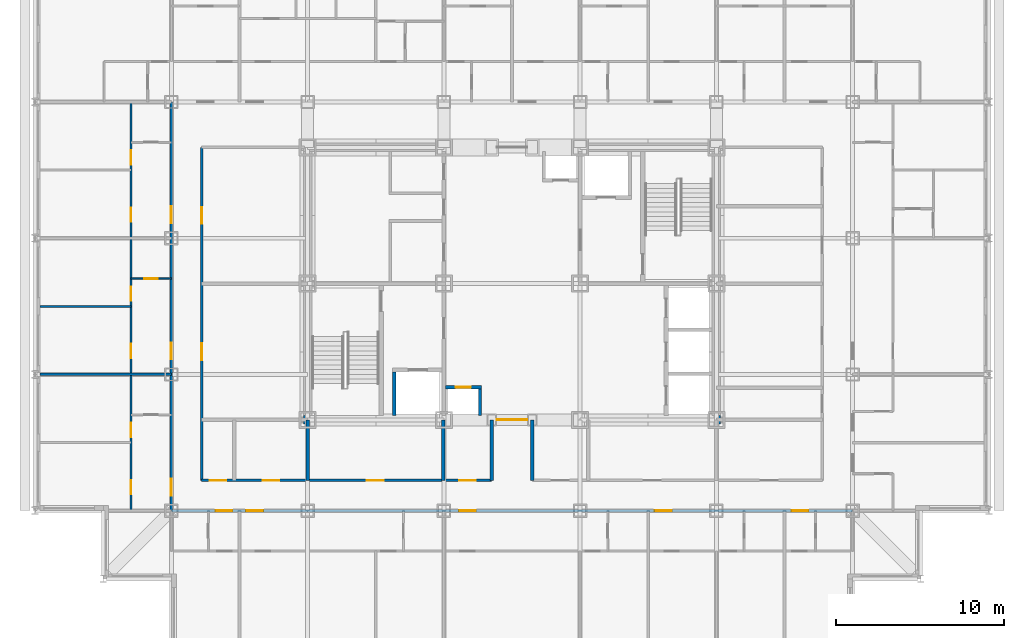
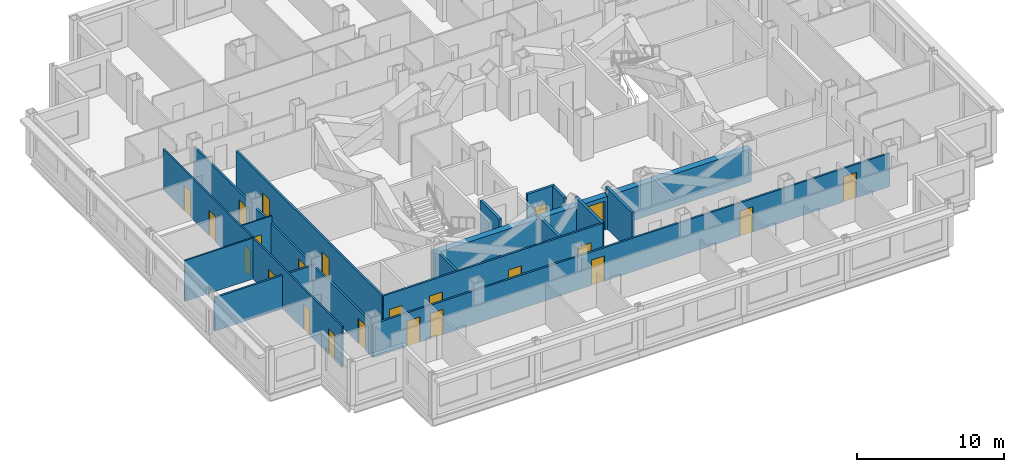
# One storey, part 5 of 12: 23 doors, 16 walls, 23 openings.
"""IFC4 building model written with IfcOpenShell, lengths in metres."""

from ifc_helpers import new_model, si_unit, direction, frame, frame_2d, origin, place, context, subcontext, project, spatial, rectangle, extrude, material, layer, layer_set, type_object, element, fill, save


model = new_model("IFC4")

# Units and contexts
model_context = context("Model", 3, precision=1e-05, world=origin(), true_north=direction((0.0, 1.0)))
body_context = subcontext(model_context, "Body", "Model", "MODEL_VIEW")
ifc_project = project(units=[si_unit("LENGTHUNIT", "METRE"), si_unit("AREAUNIT", "SQUARE_METRE"), si_unit("VOLUMEUNIT", "CUBIC_METRE"), si_unit("PLANEANGLEUNIT", "RADIAN"), si_unit("MASSUNIT", "GRAM", prefix="KILO")], contexts=[model_context])

# Site, building, storey
site_placement = place(None, origin())
site = spatial("IfcSite", under=ifc_project, at=site_placement, CompositionType="ELEMENT")
building_placement = place(site_placement, origin())
building = spatial("IfcBuilding", under=site, at=building_placement, Name="Kopane Lantern Tower", CompositionType="ELEMENT")
storey_placement = place(building_placement, frame((0.0, 0.0, 192.0)))
storey = spatial("IfcBuildingStorey", under=building, at=storey_placement, Name="L49", CompositionType="ELEMENT", Elevation=192.0)

# Wall, openings, doors
ifc_material_1 = material(Name="Gypsum board on steel studs", Category="steel")
ifc_layer_1 = layer(ifc_material_1, 0.1201171875)
ifc_layer_set_1 = layer_set([ifc_layer_1], Name="APARTMENT INTERNAL WALL 120")
wall_type_1 = type_object("IfcWallType", Name="APARTMENT INTERNAL WALL 120", PredefinedType="PARTITIONING", material=ifc_layer_set_1)
wall_1_placement = place(storey_placement, frame((5.699951171875, 18.89990234375, 0.0), z_axis=(0.0, 0.0, 1.0), x_axis=(0.0, 1.0, 0.0)))
wall_1 = element("IfcWall", 1, at=wall_1_placement, inside=storey, type_object=wall_type_1, Name="Apartment Internal Wall 120 L49", PredefinedType="PARTITIONING", context=body_context, shape_type="SweptSolid", body=[
    extrude(rectangle(XDim=24.300048828125, YDim=0.1201171875, at=frame_2d((12.14990234375, 0.0))), origin(), (0.0, 0.0, 1.0), 3.389892578125),
])
opening_1_placement = place(wall_1_placement, frame((0.97509765625, 0.0, 0.0)))
opening_1 = element("IfcOpeningElement", 2, at=opening_1_placement, cuts=wall_1, Name="Opening L49-042", PredefinedType="OPENING", context=body_context, shape_type="SweptSolid", body=[
    extrude(rectangle(XDim=0.85009765625, YDim=2.10009765625, at=frame_2d((0.425048828125, 1.050048828125))), frame((0.0, 0.070068359375, 0.0), z_axis=(0.0, -1.0, 0.0), x_axis=(1.0, 0.0, 0.0)), (0.0, 0.0, 1.0), 0.14013671875),
])
opening_2_placement = place(wall_1_placement, frame((4.375, 0.0, 0.0)))
opening_2 = element("IfcOpeningElement", 3, at=opening_2_placement, cuts=wall_1, Name="Opening L49-043", PredefinedType="OPENING", context=body_context, shape_type="SweptSolid", body=[
    extrude(rectangle(XDim=0.85009765625, YDim=2.10009765625, at=frame_2d((0.425048828125, 1.050048828125))), frame((0.0, 0.070068359375, 0.0), z_axis=(0.0, -1.0, 0.0), x_axis=(1.0, 0.0, 0.0)), (0.0, 0.0, 1.0), 0.14013671875),
])
opening_3_placement = place(wall_1_placement, frame((9.074951171875, 0.0, 0.0)))
opening_3 = element("IfcOpeningElement", 4, at=opening_3_placement, cuts=wall_1, Name="Opening L49-046", PredefinedType="OPENING", context=body_context, shape_type="SweptSolid", body=[
    extrude(rectangle(XDim=0.85009765625, YDim=2.10009765625, at=frame_2d((0.425048828125, 1.050048828125))), frame((0.0, 0.070068359375, 0.0), z_axis=(0.0, -1.0, 0.0), x_axis=(1.0, 0.0, 0.0)), (0.0, 0.0, 1.0), 0.14013671875),
])
opening_4_placement = place(wall_1_placement, frame((12.47509765625, 0.0, 0.0)))
opening_4 = element("IfcOpeningElement", 5, at=opening_4_placement, cuts=wall_1, Name="Opening L49-047", PredefinedType="OPENING", context=body_context, shape_type="SweptSolid", body=[
    extrude(rectangle(XDim=0.85009765625, YDim=2.10009765625, at=frame_2d((0.425048828125, 1.050048828125))), frame((0.0, 0.070068359375, 0.0), z_axis=(0.0, -1.0, 0.0), x_axis=(1.0, 0.0, 0.0)), (0.0, 0.0, 1.0), 0.14013671875),
])
opening_5_placement = place(wall_1_placement, frame((17.175048828125, 0.0, 0.0)))
opening_5 = element("IfcOpeningElement", 6, at=opening_5_placement, cuts=wall_1, Name="Opening L49-050", PredefinedType="OPENING", context=body_context, shape_type="SweptSolid", body=[
    extrude(rectangle(XDim=0.85009765625, YDim=2.10009765625, at=frame_2d((0.425048828125, 1.050048828125))), frame((0.0, 0.070068359375, 0.0), z_axis=(0.0, -1.0, 0.0), x_axis=(1.0, 0.0, 0.0)), (0.0, 0.0, 1.0), 0.14013671875),
])
opening_6_placement = place(wall_1_placement, frame((20.574951171875, 0.0, 0.0)))
opening_6 = element("IfcOpeningElement", 7, at=opening_6_placement, cuts=wall_1, Name="Opening L49-051", PredefinedType="OPENING", context=body_context, shape_type="SweptSolid", body=[
    extrude(rectangle(XDim=0.85009765625, YDim=2.10009765625, at=frame_2d((0.425048828125, 1.050048828125))), frame((0.0, 0.070068359375, 0.0), z_axis=(0.0, -1.0, 0.0), x_axis=(1.0, 0.0, 0.0)), (0.0, 0.0, 1.0), 0.14013671875),
])
ifc_material_2 = material(Name="Timber door set", Category="wood")
door_type_1 = type_object("IfcDoorType", Name="DOOR D4 850x2100", OperationType="SINGLE_SWING_LEFT", PredefinedType="DOOR", material=ifc_material_2)
door_1_placement = place(opening_1_placement, origin())
door_1 = element("IfcDoor", 8, at=door_1_placement, inside=storey, type_object=door_type_1, Name="Door L49-042", OperationType="SINGLE_SWING_RIGHT", OverallHeight=2.10009765625, OverallWidth=0.85009765625, PredefinedType="DOOR", context=body_context, shape_type="SweptSolid", body=[
    extrude(rectangle(XDim=0.85009765625, YDim=2.10009765625, at=frame_2d((0.425048828125, 1.050048828125))), frame((0.0, 0.02490234375, 0.0), z_axis=(0.0, -1.0, 0.0), x_axis=(1.0, 0.0, 0.0)), (0.0, 0.0, 1.0), 0.050048828125),
])
fill(opening_1, door_1)
door_2_placement = place(opening_2_placement, origin())
door_2 = element("IfcDoor", 9, at=door_2_placement, inside=storey, type_object=door_type_1, Name="Door L49-043", OperationType="SINGLE_SWING_LEFT", OverallHeight=2.10009765625, OverallWidth=0.85009765625, PredefinedType="DOOR", context=body_context, shape_type="SweptSolid", body=[
    extrude(rectangle(XDim=0.85009765625, YDim=2.10009765625, at=frame_2d((0.425048828125, 1.050048828125))), frame((0.0, 0.02490234375, 0.0), z_axis=(0.0, -1.0, 0.0), x_axis=(1.0, 0.0, 0.0)), (0.0, 0.0, 1.0), 0.050048828125),
])
fill(opening_2, door_2)
door_3_placement = place(opening_3_placement, origin())
door_3 = element("IfcDoor", 10, at=door_3_placement, inside=storey, type_object=door_type_1, Name="Door L49-046", OperationType="SINGLE_SWING_RIGHT", OverallHeight=2.10009765625, OverallWidth=0.85009765625, PredefinedType="DOOR", context=body_context, shape_type="SweptSolid", body=[
    extrude(rectangle(XDim=0.85009765625, YDim=2.10009765625, at=frame_2d((0.425048828125, 1.050048828125))), frame((0.0, 0.02490234375, 0.0), z_axis=(0.0, -1.0, 0.0), x_axis=(1.0, 0.0, 0.0)), (0.0, 0.0, 1.0), 0.050048828125),
])
fill(opening_3, door_3)
door_4_placement = place(opening_4_placement, origin())
door_4 = element("IfcDoor", 11, at=door_4_placement, inside=storey, type_object=door_type_1, Name="Door L49-047", OperationType="SINGLE_SWING_LEFT", OverallHeight=2.10009765625, OverallWidth=0.85009765625, PredefinedType="DOOR", context=body_context, shape_type="SweptSolid", body=[
    extrude(rectangle(XDim=0.85009765625, YDim=2.10009765625, at=frame_2d((0.425048828125, 1.050048828125))), frame((0.0, 0.02490234375, 0.0), z_axis=(0.0, -1.0, 0.0), x_axis=(1.0, 0.0, 0.0)), (0.0, 0.0, 1.0), 0.050048828125),
])
fill(opening_4, door_4)
door_5_placement = place(opening_5_placement, origin())
door_5 = element("IfcDoor", 12, at=door_5_placement, inside=storey, type_object=door_type_1, Name="Door L49-050", OperationType="SINGLE_SWING_RIGHT", OverallHeight=2.10009765625, OverallWidth=0.85009765625, PredefinedType="DOOR", context=body_context, shape_type="SweptSolid", body=[
    extrude(rectangle(XDim=0.85009765625, YDim=2.10009765625, at=frame_2d((0.425048828125, 1.050048828125))), frame((0.0, 0.02490234375, 0.0), z_axis=(0.0, -1.0, 0.0), x_axis=(1.0, 0.0, 0.0)), (0.0, 0.0, 1.0), 0.050048828125),
])
fill(opening_5, door_5)
door_6_placement = place(opening_6_placement, origin())
door_6 = element("IfcDoor", 13, at=door_6_placement, inside=storey, type_object=door_type_1, Name="Door L49-051", OperationType="SINGLE_SWING_LEFT", OverallHeight=2.10009765625, OverallWidth=0.85009765625, PredefinedType="DOOR", context=body_context, shape_type="SweptSolid", body=[
    extrude(rectangle(XDim=0.85009765625, YDim=2.10009765625, at=frame_2d((0.425048828125, 1.050048828125))), frame((0.0, 0.02490234375, 0.0), z_axis=(0.0, -1.0, 0.0), x_axis=(1.0, 0.0, 0.0)), (0.0, 0.0, 1.0), 0.050048828125),
])
fill(opening_6, door_6)

# Wall
wall_2_placement = place(storey_placement, frame((5.699951171875, 31.050048828125, 0.0), z_axis=(0.0, 0.0, 1.0), x_axis=(-1.0, 0.0, 0.0)))
element("IfcWall", 14, at=wall_2_placement, inside=storey, type_object=wall_type_1, Name="Apartment Internal Wall 120 L49", PredefinedType="PARTITIONING", context=body_context, shape_type="SweptSolid", body=[
    extrude(rectangle(XDim=5.39990234375, YDim=0.1201171875, at=frame_2d((2.699951171875, 0.0))), origin(), (0.0, 0.0, 1.0), 3.389892578125),
])

# Wall, opening, door
ifc_material_3 = material(Name="Moisture-resistant board on steel studs", Category="steel")
ifc_layer_2 = layer(ifc_material_3, 0.10009765625)
ifc_layer_set_2 = layer_set([ifc_layer_2], Name="BATHROOM WALL 100")
wall_type_2 = type_object("IfcWallType", Name="BATHROOM WALL 100", PredefinedType="PARTITIONING", material=ifc_layer_set_2)
wall_3_placement = place(storey_placement, frame((8.10009765625, 32.699951171875, 0.0), z_axis=(0.0, 0.0, 1.0), x_axis=(-1.0, 0.0, 0.0)))
wall_3 = element("IfcWall", 15, at=wall_3_placement, inside=storey, type_object=wall_type_2, Name="Bathroom Wall 100 L49", PredefinedType="PARTITIONING", context=body_context, shape_type="SweptSolid", body=[
    extrude(rectangle(XDim=2.400146484375, YDim=0.10009765625, at=frame_2d((1.2001953125, 0.0))), origin(), (0.0, 0.0, 1.0), 3.389892578125),
])
opening_7_placement = place(wall_3_placement, frame((0.800048828125, 0.0, 0.0)))
opening_7 = element("IfcOpeningElement", 16, at=opening_7_placement, cuts=wall_3, Name="Opening L49-044", PredefinedType="OPENING", context=body_context, shape_type="SweptSolid", body=[
    extrude(rectangle(XDim=0.800048828125, YDim=2.10009765625, at=frame_2d((0.39990234375, 1.050048828125))), frame((0.0, 0.06005859375, 0.0), z_axis=(0.0, -1.0, 0.0), x_axis=(1.0, 0.0, 0.0)), (0.0, 0.0, 1.0), 0.1201171875),
])
ifc_material_4 = material(Name="Timber door set", Category="wood")
door_type_2 = type_object("IfcDoorType", Name="DOOR D2 800x2100", OperationType="SINGLE_SWING_LEFT", PredefinedType="DOOR", material=ifc_material_4)
door_7_placement = place(opening_7_placement, origin())
door_7 = element("IfcDoor", 17, at=door_7_placement, inside=storey, type_object=door_type_2, Name="Door L49-044", OperationType="SINGLE_SWING_RIGHT", OverallHeight=2.10009765625, OverallWidth=0.800048828125, PredefinedType="DOOR", context=body_context, shape_type="SweptSolid", body=[
    extrude(rectangle(XDim=0.800048828125, YDim=2.10009765625, at=frame_2d((0.39990234375, 1.050048828125))), frame((0.0, 0.02490234375, 0.0), z_axis=(0.0, -1.0, 0.0), x_axis=(1.0, 0.0, 0.0)), (0.0, 0.0, 1.0), 0.050048828125),
])
fill(opening_7, door_7)

ifc_material_5 = material(Name="Gypsum shaft wall EI 120", Category="gypsum")
ifc_layer_3 = layer(ifc_material_5, 0.5)
ifc_layer_set_3 = layer_set([ifc_layer_3], Name="CORE PERIMETER WALL 500 EI 120")
wall_type_3 = type_object("IfcWallType", Name="CORE PERIMETER WALL 500 EI 120", PredefinedType="SOLIDWALL", material=ifc_layer_set_3)
wall_4_placement = place(storey_placement, frame((15.949951171875, 24.300048828125, 0.0), z_axis=(0.0, 0.0, 1.0), x_axis=(1.0, 0.0, 0.0)))
wall_4 = element("IfcWall", 18, at=wall_4_placement, inside=storey, type_object=wall_type_3, Name="Core shaft wall L49 PS", PredefinedType="SOLIDWALL", context=body_context, shape_type="SweptSolid", body=[
    extrude(rectangle(XDim=24.800048828125, YDim=0.5, at=frame_2d((12.39990234375, 0.0))), origin(), (0.0, 0.0, 1.0), 2.739990234375),
])
opening_8_placement = place(wall_4_placement, frame((11.5, 0.0, 0.0)))
opening_8 = element("IfcOpeningElement", 19, at=opening_8_placement, cuts=wall_4, Name="Opening 49.CE-S", PredefinedType="OPENING", context=body_context, shape_type="SweptSolid", body=[
    extrude(rectangle(XDim=1.800048828125, YDim=2.39990234375, at=frame_2d((0.89990234375, 1.199951171875))), frame((0.0, 0.260009765625, 0.0), z_axis=(0.0, -1.0, 0.0), x_axis=(1.0, 0.0, 0.0)), (0.0, 0.0, 1.0), 0.52001953125),
])
ifc_material_6 = material(Name="Steel door set", Category="steel")
door_type_3 = type_object("IfcDoorType", Name="CORE ENTRY DOOR 1800x2400 FD60S", OperationType="DOUBLE_DOOR_SINGLE_SWING", PredefinedType="DOOR", material=ifc_material_6)
door_8_placement = place(opening_8_placement, origin())
door_8 = element("IfcDoor", 20, at=door_8_placement, inside=storey, type_object=door_type_3, Name="Core entry door L49 south", OperationType="DOUBLE_DOOR_SINGLE_SWING", OverallHeight=2.39990234375, OverallWidth=1.800048828125, PredefinedType="DOOR", context=body_context, shape_type="SweptSolid", body=[
    extrude(rectangle(XDim=1.800048828125, YDim=2.39990234375, at=frame_2d((0.89990234375, 1.199951171875))), frame((0.0, 0.02490234375, 0.0), z_axis=(0.0, -1.0, 0.0), x_axis=(1.0, 0.0, 0.0)), (0.0, 0.0, 1.0), 0.050048828125),
])
fill(opening_8, door_8)

# Wall, openings, doors
ifc_material_7 = material(Name="Gypsum board on steel studs", Category="steel")
ifc_layer_4 = layer(ifc_material_7, 0.14990234375)
ifc_layer_set_4 = layer_set([ifc_layer_4], Name="CORRIDOR WALL 150 EI 60")
wall_type_4 = type_object("IfcWallType", Name="CORRIDOR WALL 150 EI 60", PredefinedType="PARTITIONING", material=ifc_layer_set_4)
wall_5_placement = place(storey_placement, frame((8.10009765625, 18.89990234375, 0.0), z_axis=(0.0, 0.0, 1.0), x_axis=(1.0, 0.0, 0.0)))
wall_5 = element("IfcWall", 21, at=wall_5_placement, inside=storey, type_object=wall_type_4, Name="Corridor Wall 150 Ei 60 L49", PredefinedType="PARTITIONING", context=body_context, shape_type="SweptSolid", body=[
    extrude(rectangle(XDim=40.5, YDim=0.14990234375, at=frame_2d((20.25, 0.0))), origin(), (0.0, 0.0, 1.0), 2.77783203125),
])
opening_9_placement = place(wall_5_placement, frame((4.449951171875, 0.0, 0.0)))
opening_9 = element("IfcOpeningElement", 22, at=opening_9_placement, cuts=wall_5, Name="Opening L49-015", PredefinedType="OPENING", context=body_context, shape_type="SweptSolid", body=[
    extrude(rectangle(XDim=1.0, YDim=2.10009765625, at=frame_2d((0.5, 1.050048828125))), frame((0.0, 0.0849609375, 0.0), z_axis=(0.0, -1.0, 0.0), x_axis=(1.0, 0.0, 0.0)), (0.0, 0.0, 1.0), 0.169921875),
])
opening_10_placement = place(wall_5_placement, frame((17.10009765625, 0.0, 0.0)))
opening_10 = element("IfcOpeningElement", 23, at=opening_10_placement, cuts=wall_5, Name="Opening L49-019", PredefinedType="OPENING", context=body_context, shape_type="SweptSolid", body=[
    extrude(rectangle(XDim=1.0, YDim=2.10009765625, at=frame_2d((0.5, 1.050048828125))), frame((0.0, 0.0849609375, 0.0), z_axis=(0.0, -1.0, 0.0), x_axis=(1.0, 0.0, 0.0)), (0.0, 0.0, 1.0), 0.169921875),
])
opening_11_placement = place(wall_5_placement, frame((28.75, 0.0, 0.0)))
opening_11 = element("IfcOpeningElement", 24, at=opening_11_placement, cuts=wall_5, Name="Opening L49-023", PredefinedType="OPENING", context=body_context, shape_type="SweptSolid", body=[
    extrude(rectangle(XDim=1.0, YDim=2.10009765625, at=frame_2d((0.5, 1.050048828125))), frame((0.0, 0.0849609375, 0.0), z_axis=(0.0, -1.0, 0.0), x_axis=(1.0, 0.0, 0.0)), (0.0, 0.0, 1.0), 0.169921875),
])
opening_12_placement = place(wall_5_placement, frame((2.625, 0.0, 0.0)))
opening_12 = element("IfcOpeningElement", 25, at=opening_12_placement, cuts=wall_5, Name="Opening L49-063", PredefinedType="OPENING", context=body_context, shape_type="SweptSolid", body=[
    extrude(rectangle(XDim=1.0, YDim=2.10009765625, at=frame_2d((0.5, 1.050048828125))), frame((0.0, 0.0849609375, 0.0), z_axis=(0.0, -1.0, 0.0), x_axis=(1.0, 0.0, 0.0)), (0.0, 0.0, 1.0), 0.169921875),
])
opening_13_placement = place(wall_5_placement, frame((36.875, 0.0, 0.0)))
opening_13 = element("IfcOpeningElement", 26, at=opening_13_placement, cuts=wall_5, Name="Opening L49-066", PredefinedType="OPENING", context=body_context, shape_type="SweptSolid", body=[
    extrude(rectangle(XDim=1.0, YDim=2.10009765625, at=frame_2d((0.5, 1.050048828125))), frame((0.0, 0.0849609375, 0.0), z_axis=(0.0, -1.0, 0.0), x_axis=(1.0, 0.0, 0.0)), (0.0, 0.0, 1.0), 0.169921875),
])
ifc_material_8 = material(Name="Steel door set", Category="steel")
door_type_4 = type_object("IfcDoorType", Name="DOOR D3 1000x2100 FD30S", OperationType="SINGLE_SWING_LEFT", PredefinedType="DOOR", material=ifc_material_8)
door_9_placement = place(opening_9_placement, origin())
door_9 = element("IfcDoor", 27, at=door_9_placement, inside=storey, type_object=door_type_4, Name="Door L49-015", OperationType="SINGLE_SWING_RIGHT", OverallHeight=2.10009765625, OverallWidth=1.0, PredefinedType="DOOR", context=body_context, shape_type="SweptSolid", body=[
    extrude(rectangle(XDim=1.0, YDim=2.10009765625, at=frame_2d((0.5, 1.050048828125))), frame((0.0, 0.02490234375, 0.0), z_axis=(0.0, -1.0, 0.0), x_axis=(1.0, 0.0, 0.0)), (0.0, 0.0, 1.0), 0.050048828125),
])
fill(opening_9, door_9)
door_10_placement = place(opening_10_placement, origin())
door_10 = element("IfcDoor", 28, at=door_10_placement, inside=storey, type_object=door_type_4, Name="Door L49-019", OperationType="SINGLE_SWING_RIGHT", OverallHeight=2.10009765625, OverallWidth=1.0, PredefinedType="DOOR", context=body_context, shape_type="SweptSolid", body=[
    extrude(rectangle(XDim=1.0, YDim=2.10009765625, at=frame_2d((0.5, 1.050048828125))), frame((0.0, 0.02490234375, 0.0), z_axis=(0.0, -1.0, 0.0), x_axis=(1.0, 0.0, 0.0)), (0.0, 0.0, 1.0), 0.050048828125),
])
fill(opening_10, door_10)
door_11_placement = place(opening_11_placement, origin())
door_11 = element("IfcDoor", 29, at=door_11_placement, inside=storey, type_object=door_type_4, Name="Door L49-023", OperationType="SINGLE_SWING_RIGHT", OverallHeight=2.10009765625, OverallWidth=1.0, PredefinedType="DOOR", context=body_context, shape_type="SweptSolid", body=[
    extrude(rectangle(XDim=1.0, YDim=2.10009765625, at=frame_2d((0.5, 1.050048828125))), frame((0.0, 0.02490234375, 0.0), z_axis=(0.0, -1.0, 0.0), x_axis=(1.0, 0.0, 0.0)), (0.0, 0.0, 1.0), 0.050048828125),
])
fill(opening_11, door_11)
door_12_placement = place(opening_12_placement, origin())
door_12 = element("IfcDoor", 30, at=door_12_placement, inside=storey, type_object=door_type_4, Name="Door L49-063", OperationType="SINGLE_SWING_RIGHT", OverallHeight=2.10009765625, OverallWidth=1.0, PredefinedType="DOOR", context=body_context, shape_type="SweptSolid", body=[
    extrude(rectangle(XDim=1.0, YDim=2.10009765625, at=frame_2d((0.5, 1.050048828125))), frame((0.0, 0.02490234375, 0.0), z_axis=(0.0, -1.0, 0.0), x_axis=(1.0, 0.0, 0.0)), (0.0, 0.0, 1.0), 0.050048828125),
])
fill(opening_12, door_12)
door_13_placement = place(opening_13_placement, origin())
door_13 = element("IfcDoor", 31, at=door_13_placement, inside=storey, type_object=door_type_4, Name="Door L49-066", OperationType="SINGLE_SWING_RIGHT", OverallHeight=2.10009765625, OverallWidth=1.0, PredefinedType="DOOR", context=body_context, shape_type="SweptSolid", body=[
    extrude(rectangle(XDim=1.0, YDim=2.10009765625, at=frame_2d((0.5, 1.050048828125))), frame((0.0, 0.02490234375, 0.0), z_axis=(0.0, -1.0, 0.0), x_axis=(1.0, 0.0, 0.0)), (0.0, 0.0, 1.0), 0.050048828125),
])
fill(opening_13, door_13)

wall_6_placement = place(storey_placement, frame((8.10009765625, 18.89990234375, 0.0), z_axis=(0.0, 0.0, 1.0), x_axis=(0.0, 1.0, 0.0)))
wall_6 = element("IfcWall", 32, at=wall_6_placement, inside=storey, type_object=wall_type_4, Name="Corridor Wall 150 Ei 60 L49", PredefinedType="PARTITIONING", context=body_context, shape_type="SweptSolid", body=[
    extrude(rectangle(XDim=24.300048828125, YDim=0.14990234375, at=frame_2d((12.14990234375, 0.0))), origin(), (0.0, 0.0, 1.0), 2.77783203125),
])
opening_14_placement = place(wall_6_placement, frame((0.89990234375, 0.0, 0.0)))
opening_14 = element("IfcOpeningElement", 33, at=opening_14_placement, cuts=wall_6, Name="Opening L49-041", PredefinedType="OPENING", context=body_context, shape_type="SweptSolid", body=[
    extrude(rectangle(XDim=1.0, YDim=2.10009765625, at=frame_2d((0.5, 1.050048828125))), frame((0.0, 0.0849609375, 0.0), z_axis=(0.0, -1.0, 0.0), x_axis=(1.0, 0.0, 0.0)), (0.0, 0.0, 1.0), 0.169921875),
])
opening_15_placement = place(wall_6_placement, frame((9.0, 0.0, 0.0)))
opening_15 = element("IfcOpeningElement", 34, at=opening_15_placement, cuts=wall_6, Name="Opening L49-045", PredefinedType="OPENING", context=body_context, shape_type="SweptSolid", body=[
    extrude(rectangle(XDim=1.0, YDim=2.10009765625, at=frame_2d((0.5, 1.050048828125))), frame((0.0, 0.0849609375, 0.0), z_axis=(0.0, -1.0, 0.0), x_axis=(1.0, 0.0, 0.0)), (0.0, 0.0, 1.0), 0.169921875),
])
opening_16_placement = place(wall_6_placement, frame((17.10009765625, 0.0, 0.0)))
opening_16 = element("IfcOpeningElement", 35, at=opening_16_placement, cuts=wall_6, Name="Opening L49-049", PredefinedType="OPENING", context=body_context, shape_type="SweptSolid", body=[
    extrude(rectangle(XDim=1.0, YDim=2.10009765625, at=frame_2d((0.5, 1.050048828125))), frame((0.0, 0.0849609375, 0.0), z_axis=(0.0, -1.0, 0.0), x_axis=(1.0, 0.0, 0.0)), (0.0, 0.0, 1.0), 0.169921875),
])
door_14_placement = place(opening_14_placement, origin())
door_14 = element("IfcDoor", 36, at=door_14_placement, inside=storey, type_object=door_type_4, Name="Door L49-041", OperationType="SINGLE_SWING_LEFT", OverallHeight=2.10009765625, OverallWidth=1.0, PredefinedType="DOOR", context=body_context, shape_type="SweptSolid", body=[
    extrude(rectangle(XDim=1.0, YDim=2.10009765625, at=frame_2d((0.5, 1.050048828125))), frame((0.0, 0.02490234375, 0.0), z_axis=(0.0, -1.0, 0.0), x_axis=(1.0, 0.0, 0.0)), (0.0, 0.0, 1.0), 0.050048828125),
])
fill(opening_14, door_14)
door_15_placement = place(opening_15_placement, origin())
door_15 = element("IfcDoor", 37, at=door_15_placement, inside=storey, type_object=door_type_4, Name="Door L49-045", OperationType="SINGLE_SWING_LEFT", OverallHeight=2.10009765625, OverallWidth=1.0, PredefinedType="DOOR", context=body_context, shape_type="SweptSolid", body=[
    extrude(rectangle(XDim=1.0, YDim=2.10009765625, at=frame_2d((0.5, 1.050048828125))), frame((0.0, 0.02490234375, 0.0), z_axis=(0.0, -1.0, 0.0), x_axis=(1.0, 0.0, 0.0)), (0.0, 0.0, 1.0), 0.050048828125),
])
fill(opening_15, door_15)
door_16_placement = place(opening_16_placement, origin())
door_16 = element("IfcDoor", 38, at=door_16_placement, inside=storey, type_object=door_type_4, Name="Door L49-049", OperationType="SINGLE_SWING_LEFT", OverallHeight=2.10009765625, OverallWidth=1.0, PredefinedType="DOOR", context=body_context, shape_type="SweptSolid", body=[
    extrude(rectangle(XDim=1.0, YDim=2.10009765625, at=frame_2d((0.5, 1.050048828125))), frame((0.0, 0.02490234375, 0.0), z_axis=(0.0, -1.0, 0.0), x_axis=(1.0, 0.0, 0.0)), (0.0, 0.0, 1.0), 0.050048828125),
])
fill(opening_16, door_16)

wall_7_placement = place(storey_placement, frame((9.89990234375, 40.5, 0.0), z_axis=(0.0, 0.0, 1.0), x_axis=(0.0, -1.0, 0.0)))
wall_7 = element("IfcWall", 39, at=wall_7_placement, inside=storey, type_object=wall_type_4, Name="Corridor Wall 150 Ei 60 L49", PredefinedType="PARTITIONING", context=body_context, shape_type="SweptSolid", body=[
    extrude(rectangle(XDim=19.800048828125, YDim=0.14990234375, at=frame_2d((9.89990234375, 0.0))), origin(), (0.0, 0.0, 1.0), 3.389892578125),
])
opening_17_placement = place(wall_7_placement, frame((11.64990234375, 0.0, 0.0)))
opening_17 = element("IfcOpeningElement", 40, at=opening_17_placement, cuts=wall_7, Name="Opening L49-001", PredefinedType="OPENING", context=body_context, shape_type="SweptSolid", body=[
    extrude(rectangle(XDim=1.0, YDim=2.10009765625, at=frame_2d((0.5, 1.050048828125))), frame((0.0, 0.0849609375, 0.0), z_axis=(0.0, -1.0, 0.0), x_axis=(1.0, 0.0, 0.0)), (0.0, 0.0, 1.0), 0.169921875),
])
opening_18_placement = place(wall_7_placement, frame((3.550048828125, 0.0, 0.0)))
opening_18 = element("IfcOpeningElement", 41, at=opening_18_placement, cuts=wall_7, Name="Opening L49-002", PredefinedType="OPENING", context=body_context, shape_type="SweptSolid", body=[
    extrude(rectangle(XDim=1.0, YDim=2.10009765625, at=frame_2d((0.5, 1.050048828125))), frame((0.0, 0.0849609375, 0.0), z_axis=(0.0, -1.0, 0.0), x_axis=(1.0, 0.0, 0.0)), (0.0, 0.0, 1.0), 0.169921875),
])
ifc_material_9 = material(Name="Steel door set", Category="steel")
door_type_5 = type_object("IfcDoorType", Name="DOOR D5 1000x2100 FD60", OperationType="SINGLE_SWING_LEFT", PredefinedType="DOOR", material=ifc_material_9)
door_17_placement = place(opening_17_placement, origin())
door_17 = element("IfcDoor", 42, at=door_17_placement, inside=storey, type_object=door_type_5, Name="Door L49-001", OperationType="SINGLE_SWING_RIGHT", OverallHeight=2.10009765625, OverallWidth=1.0, PredefinedType="DOOR", context=body_context, shape_type="SweptSolid", body=[
    extrude(rectangle(XDim=1.0, YDim=2.10009765625, at=frame_2d((0.5, 1.050048828125))), frame((0.0, 0.02490234375, 0.0), z_axis=(0.0, -1.0, 0.0), x_axis=(1.0, 0.0, 0.0)), (0.0, 0.0, 1.0), 0.050048828125),
])
fill(opening_17, door_17)
door_18_placement = place(opening_18_placement, origin())
door_18 = element("IfcDoor", 43, at=door_18_placement, inside=storey, type_object=door_type_5, Name="Door L49-002", OperationType="SINGLE_SWING_LEFT", OverallHeight=2.10009765625, OverallWidth=1.0, PredefinedType="DOOR", context=body_context, shape_type="SweptSolid", body=[
    extrude(rectangle(XDim=1.0, YDim=2.10009765625, at=frame_2d((0.5, 1.050048828125))), frame((0.0, 0.02490234375, 0.0), z_axis=(0.0, -1.0, 0.0), x_axis=(1.0, 0.0, 0.0)), (0.0, 0.0, 1.0), 0.050048828125),
])
fill(opening_18, door_18)

wall_8_placement = place(storey_placement, frame((9.89990234375, 20.699951171875, 0.0), z_axis=(0.0, 0.0, 1.0), x_axis=(1.0, 0.0, 0.0)))
wall_8 = element("IfcWall", 44, at=wall_8_placement, inside=storey, type_object=wall_type_4, Name="Corridor Wall 150 Ei 60 L49", PredefinedType="PARTITIONING", context=body_context, shape_type="SweptSolid", body=[
    extrude(rectangle(XDim=17.239990234375, YDim=0.14990234375, at=frame_2d((8.6201171875, 0.0))), origin(), (0.0, 0.0, 1.0), 3.389892578125),
])
opening_19_placement = place(wall_8_placement, frame((0.47216796875, 0.0, 0.0)))
opening_19 = element("IfcOpeningElement", 45, at=opening_19_placement, cuts=wall_8, Name="Opening L49-007", PredefinedType="OPENING", context=body_context, shape_type="SweptSolid", body=[
    extrude(rectangle(XDim=1.0, YDim=2.10009765625, at=frame_2d((0.5, 1.050048828125))), frame((0.0, 0.0849609375, 0.0), z_axis=(0.0, -1.0, 0.0), x_axis=(1.0, 0.0, 0.0)), (0.0, 0.0, 1.0), 0.169921875),
])
opening_20_placement = place(wall_8_placement, frame((3.622314453125, 0.0, 0.0)))
opening_20 = element("IfcOpeningElement", 46, at=opening_20_placement, cuts=wall_8, Name="Opening L49-008", PredefinedType="OPENING", context=body_context, shape_type="SweptSolid", body=[
    extrude(rectangle(XDim=1.0, YDim=2.10009765625, at=frame_2d((0.5, 1.050048828125))), frame((0.0, 0.0849609375, 0.0), z_axis=(0.0, -1.0, 0.0), x_axis=(1.0, 0.0, 0.0)), (0.0, 0.0, 1.0), 0.169921875),
])
opening_21_placement = place(wall_8_placement, frame((9.827880859375, 0.0, 0.0)))
opening_21 = element("IfcOpeningElement", 47, at=opening_21_placement, cuts=wall_8, Name="Opening L49-009", PredefinedType="OPENING", context=body_context, shape_type="SweptSolid", body=[
    extrude(rectangle(XDim=1.0, YDim=2.10009765625, at=frame_2d((0.5, 1.050048828125))), frame((0.0, 0.0849609375, 0.0), z_axis=(0.0, -1.0, 0.0), x_axis=(1.0, 0.0, 0.0)), (0.0, 0.0, 1.0), 0.169921875),
])
opening_22_placement = place(wall_8_placement, frame((15.302734375, 0.0, 0.0)))
opening_22 = element("IfcOpeningElement", 48, at=opening_22_placement, cuts=wall_8, Name="Opening L49-010", PredefinedType="OPENING", context=body_context, shape_type="SweptSolid", body=[
    extrude(rectangle(XDim=1.0, YDim=2.10009765625, at=frame_2d((0.5, 1.050048828125))), frame((0.0, 0.0849609375, 0.0), z_axis=(0.0, -1.0, 0.0), x_axis=(1.0, 0.0, 0.0)), (0.0, 0.0, 1.0), 0.169921875),
])
door_19_placement = place(opening_19_placement, origin())
door_19 = element("IfcDoor", 49, at=door_19_placement, inside=storey, type_object=door_type_5, Name="Door L49-007", OperationType="SINGLE_SWING_LEFT", OverallHeight=2.10009765625, OverallWidth=1.0, PredefinedType="DOOR", context=body_context, shape_type="SweptSolid", body=[
    extrude(rectangle(XDim=1.0, YDim=2.10009765625, at=frame_2d((0.5, 1.050048828125))), frame((0.0, 0.02490234375, 0.0), z_axis=(0.0, -1.0, 0.0), x_axis=(1.0, 0.0, 0.0)), (0.0, 0.0, 1.0), 0.050048828125),
])
fill(opening_19, door_19)
door_20_placement = place(opening_20_placement, origin())
door_20 = element("IfcDoor", 50, at=door_20_placement, inside=storey, type_object=door_type_5, Name="Door L49-008", OperationType="SINGLE_SWING_RIGHT", OverallHeight=2.10009765625, OverallWidth=1.0, PredefinedType="DOOR", context=body_context, shape_type="SweptSolid", body=[
    extrude(rectangle(XDim=1.0, YDim=2.10009765625, at=frame_2d((0.5, 1.050048828125))), frame((0.0, 0.02490234375, 0.0), z_axis=(0.0, -1.0, 0.0), x_axis=(1.0, 0.0, 0.0)), (0.0, 0.0, 1.0), 0.050048828125),
])
fill(opening_20, door_20)
door_21_placement = place(opening_21_placement, origin())
door_21 = element("IfcDoor", 51, at=door_21_placement, inside=storey, type_object=door_type_5, Name="Door L49-009", OperationType="SINGLE_SWING_LEFT", OverallHeight=2.10009765625, OverallWidth=1.0, PredefinedType="DOOR", context=body_context, shape_type="SweptSolid", body=[
    extrude(rectangle(XDim=1.0, YDim=2.10009765625, at=frame_2d((0.5, 1.050048828125))), frame((0.0, 0.02490234375, 0.0), z_axis=(0.0, -1.0, 0.0), x_axis=(1.0, 0.0, 0.0)), (0.0, 0.0, 1.0), 0.050048828125),
])
fill(opening_21, door_21)
door_22_placement = place(opening_22_placement, origin())
door_22 = element("IfcDoor", 52, at=door_22_placement, inside=storey, type_object=door_type_5, Name="Door L49-010", OperationType="SINGLE_SWING_RIGHT", OverallHeight=2.10009765625, OverallWidth=1.0, PredefinedType="DOOR", context=body_context, shape_type="SweptSolid", body=[
    extrude(rectangle(XDim=1.0, YDim=2.10009765625, at=frame_2d((0.5, 1.050048828125))), frame((0.0, 0.02490234375, 0.0), z_axis=(0.0, -1.0, 0.0), x_axis=(1.0, 0.0, 0.0)), (0.0, 0.0, 1.0), 0.050048828125),
])
fill(opening_22, door_22)

# Walls
ifc_material_10 = material(Name="Gypsum board on steel studs", Category="steel")
ifc_layer_5 = layer(ifc_material_10, 0.14990234375)
ifc_layer_set_5 = layer_set([ifc_layer_5], Name="DEMISING WALL 150 EI 60")
wall_type_5 = type_object("IfcWallType", Name="DEMISING WALL 150 EI 60", PredefinedType="PARTITIONING", material=ifc_layer_set_5)
wall_9_placement = place(storey_placement, frame((8.10009765625, 27.0, 0.0), z_axis=(0.0, 0.0, 1.0), x_axis=(-1.0, 0.0, 0.0)))
element("IfcWall", 53, at=wall_9_placement, inside=storey, type_object=wall_type_5, Name="Demising Wall 150 Ei 60 L49", PredefinedType="PARTITIONING", context=body_context, shape_type="SweptSolid", body=[
    extrude(rectangle(XDim=7.800048828125, YDim=0.14990234375, at=frame_2d((3.89990234375, 0.0))), origin(), (0.0, 0.0, 1.0), 2.77783203125),
])
ifc_material_11 = material(Name="Concrete masonry", Category="masonry")
ifc_layer_6 = layer(ifc_material_11, 0.199951171875)
ifc_layer_set_6 = layer_set([ifc_layer_6], Name="PLANT ROOM WALL 200 EI 120")
wall_type_6 = type_object("IfcWallType", Name="PLANT ROOM WALL 200 EI 120", PredefinedType="SOLIDWALL", material=ifc_layer_set_6)
for number, where, z_axis, x_axis, name in (
    (54, (16.199951171875, 20.699951171875, 0.0), (0.0, 0.0, 1.0), (0.0, 1.0, 0.0), "Plant Room Wall 200 Ei 120 L49"),
    (55, (24.255615234375, 20.699951171875, 0.0), (0.0, 0.0, 1.0), (0.0, 1.0, 0.0), "Plant Room Wall 200 Ei 120 L49"),
):
    element("IfcWall", number, at=place(storey_placement, frame(where, z_axis=z_axis, x_axis=x_axis)), inside=storey, type_object=wall_type_6, Name=name, PredefinedType="SOLIDWALL", context=body_context, shape_type="SweptSolid", body=[
        extrude(rectangle(XDim=3.60009765625, YDim=0.199951171875, at=frame_2d((1.800048828125, 0.0))), origin(), (0.0, 0.0, 1.0), 2.77783203125),
    ])
for number, where, z_axis, x_axis, name in (
    (56, (27.14990234375, 20.699951171875, 0.0), (0.0, 0.0, 1.0), (0.0, 1.0, 0.0), "Plant Room Wall 200 Ei 120 L49"),
    (57, (29.550048828125, 20.699951171875, 0.0), (0.0, 0.0, 1.0), (0.0, 1.0, 0.0), "Plant Room Wall 200 Ei 120 L49"),
):
    element("IfcWall", number, at=place(storey_placement, frame(where, z_axis=z_axis, x_axis=x_axis)), inside=storey, type_object=wall_type_6, Name=name, PredefinedType="SOLIDWALL", context=body_context, shape_type="SweptSolid", body=[
        extrude(rectangle(XDim=3.60009765625, YDim=0.199951171875, at=frame_2d((1.800048828125, 0.0))), origin(), (0.0, 0.0, 1.0), 3.389892578125),
    ])
ifc_material_12 = material(Name="Gypsum shaft wall EI 120", Category="gypsum")
ifc_layer_7 = layer(ifc_material_12, 0.199951171875)
ifc_layer_set_7 = layer_set([ifc_layer_7], Name="SHAFT WALL 200 EI 120")
wall_type_7 = type_object("IfcWallType", Name="SHAFT WALL 200 EI 120", PredefinedType="SOLIDWALL", material=ifc_layer_set_7)
wall_10_placement = place(storey_placement, frame((21.35009765625, 24.550048828125, 0.0), z_axis=(0.0, 0.0, 1.0), x_axis=(0.0, 1.0, 0.0)))
element("IfcWall", 58, at=wall_10_placement, inside=storey, type_object=wall_type_7, Name="Core shaft wall L49 XLF1", PredefinedType="SOLIDWALL", context=body_context, shape_type="SweptSolid", body=[
    extrude(rectangle(XDim=2.599853515625, YDim=0.199951171875, at=frame_2d((1.2998046875, 0.0))), origin(), (0.0, 0.0, 1.0), 3.389892578125),
])
wall_11_placement = place(storey_placement, frame((26.449951171875, 24.550048828125, 0.0), z_axis=(0.0, 0.0, 1.0), x_axis=(0.0, 1.0, 0.0)))
element("IfcWall", 59, at=wall_11_placement, inside=storey, type_object=wall_type_7, Name="Core shaft wall L49 XRS1", PredefinedType="SOLIDWALL", context=body_context, shape_type="SweptSolid", body=[
    extrude(rectangle(XDim=1.599853515625, YDim=0.199951171875, at=frame_2d((0.7998046875, 0.0))), origin(), (0.0, 0.0, 1.0), 3.389892578125),
])

# Wall, opening, door
wall_12_placement = place(storey_placement, frame((24.39990234375, 26.25, 0.0), z_axis=(0.0, 0.0, 1.0), x_axis=(1.0, 0.0, 0.0)))
wall_12 = element("IfcWall", 60, at=wall_12_placement, inside=storey, type_object=wall_type_7, Name="Core shaft wall L49 YRS1", PredefinedType="SOLIDWALL", context=body_context, shape_type="SweptSolid", body=[
    extrude(rectangle(XDim=2.150146484375, YDim=0.199951171875, at=frame_2d((1.0751953125, 0.0))), origin(), (0.0, 0.0, 1.0), 3.389892578125),
])
opening_23_placement = place(wall_12_placement, frame((0.60009765625, 0.0, 0.0)))
opening_23 = element("IfcOpeningElement", 61, at=opening_23_placement, cuts=wall_12, Name="Opening 49.RS1", PredefinedType="OPENING", context=body_context, shape_type="SweptSolid", body=[
    extrude(rectangle(XDim=0.89990234375, YDim=2.10009765625, at=frame_2d((0.449951171875, 1.050048828125))), frame((0.0, 0.10986328125, 0.0), z_axis=(0.0, -1.0, 0.0), x_axis=(1.0, 0.0, 0.0)), (0.0, 0.0, 1.0), 0.219970703125),
])
ifc_material_13 = material(Name="Steel door set", Category="steel")
door_type_6 = type_object("IfcDoorType", Name="RISER ACCESS DOOR 900x2100 FD60", OperationType="SINGLE_SWING_LEFT", PredefinedType="DOOR", material=ifc_material_13)
door_23_placement = place(opening_23_placement, origin())
door_23 = element("IfcDoor", 62, at=door_23_placement, inside=storey, type_object=door_type_6, Name="Riser access door RS1 L49", OperationType="SINGLE_SWING_LEFT", OverallHeight=2.10009765625, OverallWidth=0.89990234375, PredefinedType="DOOR", context=body_context, shape_type="SweptSolid", body=[
    extrude(rectangle(XDim=0.89990234375, YDim=2.10009765625, at=frame_2d((0.449951171875, 1.050048828125))), frame((0.0, 0.02490234375, 0.0), z_axis=(0.0, -1.0, 0.0), x_axis=(1.0, 0.0, 0.0)), (0.0, 0.0, 1.0), 0.050048828125),
])
fill(opening_23, door_23)

save(model, "model.ifc")
